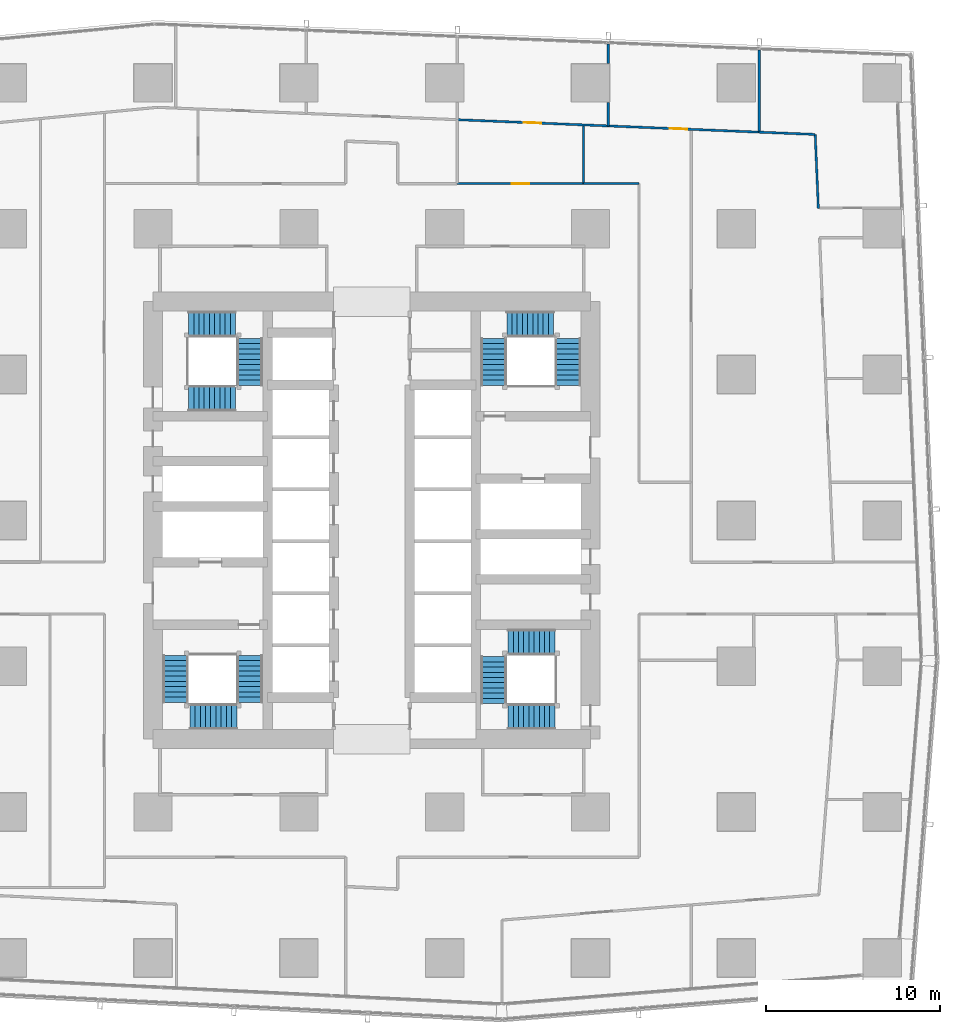
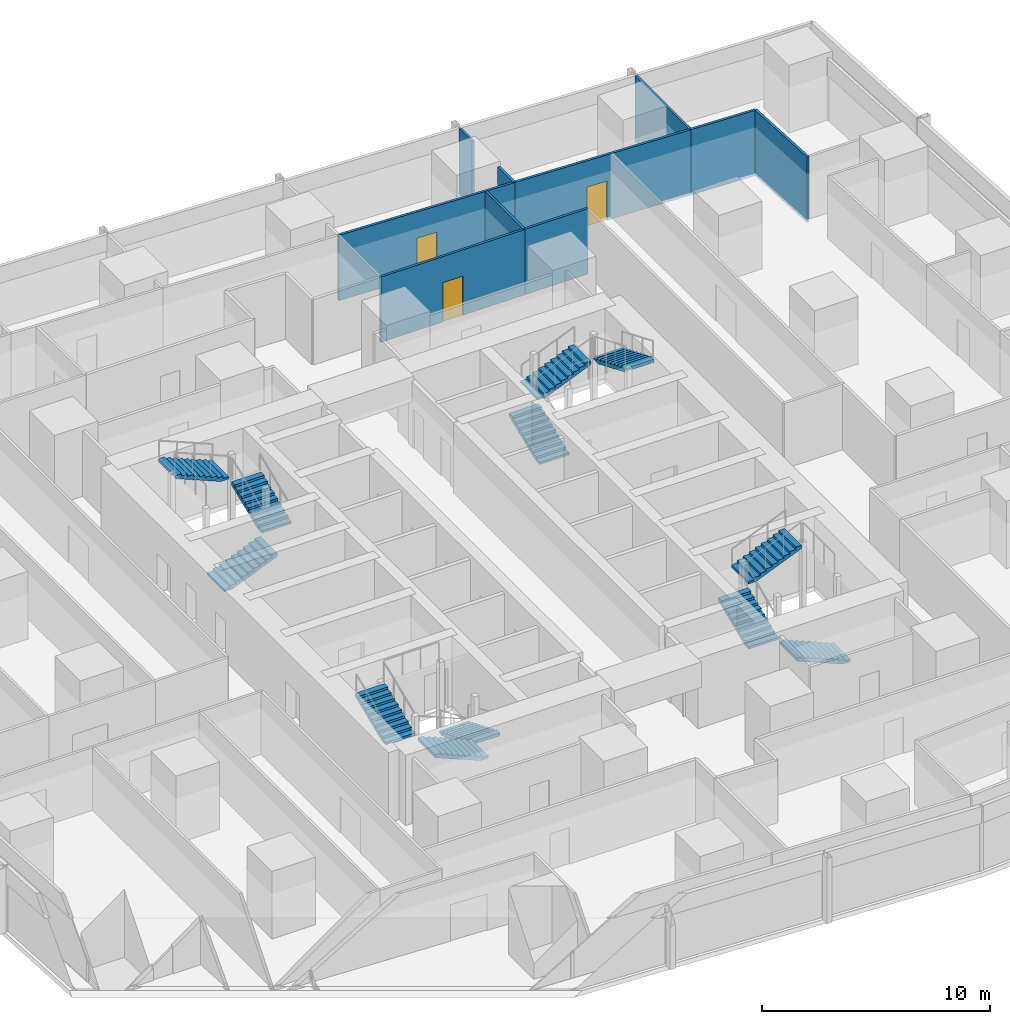
# One storey, part 35 of 44: 12 stair flights, 10 walls, 3 doors, 3 openings, 4 elements without a shape of their own.
"""IFC4 building model written with IfcOpenShell, lengths in metres."""

from ifc_helpers import new_model, si_unit, direction, frame, frame_2d, origin, place, context, subcontext, project, spatial, polyline, rectangle, outline, extrude, material, layer, layer_set, type_object, element, fill, aggregate, save


model = new_model("IFC4")

# Units and contexts
model_context = context("Model", 3, precision=1e-05, world=origin(), true_north=direction((0.0, 1.0)))
body_context = subcontext(model_context, "Body", "Model", "MODEL_VIEW")
ifc_project = project(units=[si_unit("LENGTHUNIT", "METRE"), si_unit("AREAUNIT", "SQUARE_METRE"), si_unit("VOLUMEUNIT", "CUBIC_METRE"), si_unit("PLANEANGLEUNIT", "RADIAN"), si_unit("MASSUNIT", "GRAM", prefix="KILO")], contexts=[model_context])

# Site, building, storey
site_placement = place(None, origin())
site = spatial("IfcSite", under=ifc_project, at=site_placement, CompositionType="ELEMENT")
building_placement = place(site_placement, origin())
building = spatial("IfcBuilding", under=site, at=building_placement, Name="Rekha Terrace Tower", CompositionType="ELEMENT")
storey_placement = place(building_placement, frame((0.0, 0.0, 51.64990234375)))
storey = spatial("IfcBuildingStorey", under=building, at=storey_placement, Name="L12", CompositionType="ELEMENT", Elevation=51.64990234375)

# Walls
ifc_material_1 = material(Name="Two layers of fire-rated gypsum board each side on steel studs, acoustic quilt, 1 hour", Category="steel")
ifc_layer = layer(ifc_material_1, 0.125)
ifc_layer_set = layer_set([ifc_layer], Name="Two layers of fire-rated gypsum board each side on steel studs, acoustic quilt, 1 hour")
wall_type = type_object("IfcWallType", Name="WP3 125 office partition", PredefinedType="PARTITIONING", material=ifc_layer_set)
wall_1_placement = place(storey_placement, frame((60.112060546875, 55.9619140625, 0.0), z_axis=(0.0, 0.0, 1.0), x_axis=(0.0, 1.0, 0.0)))
element("IfcWall", 1, at=wall_1_placement, inside=storey, type_object=wall_type, Name="Partition L12-09", PredefinedType="PARTITIONING", context=body_context, shape_type="SweptSolid", body=[
    extrude(rectangle(XDim=4.72412109375, YDim=0.125, at=frame_2d((2.362060546875, 0.0))), origin(), (0.0, 0.0, 1.0), 3.5),
])
wall_2_placement = place(storey_placement, frame((63.52099609375, 51.556884765625, 0.0), z_axis=(0.0, 0.0, 1.0), x_axis=(-0.042535330456, 0.999094963286, 0.0)))
element("IfcWall", 2, at=wall_2_placement, inside=storey, type_object=wall_type, Name="Partition L12-09", PredefinedType="PARTITIONING", context=body_context, shape_type="SweptSolid", body=[
    extrude(rectangle(XDim=4.276123046875, YDim=0.125, at=frame_2d((2.13818359375, 0.0))), origin(), (0.0, 0.0, 1.0), 3.5),
])
wall_3_placement = place(storey_placement, frame((63.339111328125, 55.8291015625, 0.0), z_axis=(0.0, 0.0, 1.0), x_axis=(-0.999154166221, 0.04112118826, 0.0)))
element("IfcWall", 3, at=wall_3_placement, inside=storey, type_object=wall_type, Name="Partition L12-09", PredefinedType="PARTITIONING", context=body_context, shape_type="SweptSolid", body=[
    extrude(rectangle(XDim=3.229736328125, YDim=0.125, at=frame_2d((1.61474609375, 0.0))), origin(), (0.0, 0.0, 1.0), 3.5),
])

# Wall, opening, door
wall_4_placement = place(storey_placement, frame((60.111083984375, 55.9619140625, 0.0), z_axis=(0.0, 0.0, 1.0), x_axis=(-0.999152748928, 0.041155610913, 0.0)))
wall_4 = element("IfcWall", 4, at=wall_4_placement, inside=storey, type_object=wall_type, Name="Partition L12-10", PredefinedType="PARTITIONING", context=body_context, shape_type="SweptSolid", body=[
    extrude(rectangle(XDim=8.702392578125, YDim=0.125, at=frame_2d((4.35107421875, 0.0))), origin(), (0.0, 0.0, 1.0), 3.5),
])
opening_1_placement = place(wall_4_placement, frame((4.14990234375, 0.0, 0.0)))
opening_1 = element("IfcOpeningElement", 5, at=opening_1_placement, cuts=wall_4, Name="Opening D9", PredefinedType="OPENING", context=body_context, shape_type="SweptSolid", body=[
    extrude(rectangle(XDim=1.0, YDim=2.10009765625, at=frame_2d((0.5, 1.050048828125))), frame((0.0, 0.072509765625, 0.0), z_axis=(0.0, -1.0, 0.0), x_axis=(1.0, 0.0, 0.0)), (0.0, 0.0, 1.0), 0.14501953125),
])
ifc_material_2 = material(Name="Timber fire door", Category="wood")
door_type = type_object("IfcDoorType", Name="D9 1000x2100 office door", OperationType="SINGLE_SWING_LEFT", PredefinedType="DOOR", material=ifc_material_2)
door_1_placement = place(opening_1_placement, origin())
door_1 = element("IfcDoor", 6, at=door_1_placement, inside=storey, type_object=door_type, Name="Door office L12", OperationType="SINGLE_SWING_LEFT", OverallHeight=2.10009765625, OverallWidth=1.0, PredefinedType="DOOR", context=body_context, shape_type="SweptSolid", body=[
    extrude(rectangle(XDim=1.0, YDim=2.10009765625, at=frame_2d((0.5, 1.050048828125))), frame((0.0, 0.02490234375, 0.0), z_axis=(0.0, -1.0, 0.0), x_axis=(1.0, 0.0, 0.0)), (0.0, 0.0, 1.0), 0.050048828125),
])
fill(opening_1, door_1)

# Walls
wall_5_placement = place(storey_placement, frame((51.416015625, 56.320068359375, 0.0), z_axis=(0.0, 0.0, 1.0), x_axis=(0.0, 1.0, 0.0)))
element("IfcWall", 7, at=wall_5_placement, inside=storey, type_object=wall_type, Name="Partition L12-10", PredefinedType="PARTITIONING", context=body_context, shape_type="SweptSolid", body=[
    extrude(rectangle(XDim=1.35986328125, YDim=0.125, at=frame_2d((0.679931640625, 0.0))), origin(), (0.0, 0.0, 1.0), 3.5),
])
wall_6_placement = place(storey_placement, frame((51.416015625, 59.919921875, 0.0), z_axis=(0.0, 0.0, 1.0), x_axis=(0.0, 1.0, 0.0)))
element("IfcWall", 8, at=wall_6_placement, inside=storey, type_object=wall_type, Name="Partition L12-10", PredefinedType="PARTITIONING", context=body_context, shape_type="SweptSolid", body=[
    extrude(rectangle(XDim=1.1240234375, YDim=0.125, at=frame_2d((0.56201171875, 0.0))), origin(), (0.0, 0.0, 1.0), 3.5),
])

# Wall, opening, door
wall_7_placement = place(storey_placement, frame((51.4150390625, 56.320068359375, 0.0), z_axis=(0.0, 0.0, 1.0), x_axis=(-0.999149475386, 0.041235007407, 0.0)))
wall_7 = element("IfcWall", 9, at=wall_7_placement, inside=storey, type_object=wall_type, Name="Partition L12-11", PredefinedType="PARTITIONING", context=body_context, shape_type="SweptSolid", body=[
    extrude(rectangle(XDim=8.703369140625, YDim=0.125, at=frame_2d((4.3515625, 0.0))), origin(), (0.0, 0.0, 1.0), 3.5),
])
opening_2_placement = place(wall_7_placement, frame((3.85205078125, 0.0, 0.0)))
opening_2 = element("IfcOpeningElement", 10, at=opening_2_placement, cuts=wall_7, Name="Opening D9", PredefinedType="OPENING", context=body_context, shape_type="SweptSolid", body=[
    extrude(rectangle(XDim=1.0, YDim=2.10009765625, at=frame_2d((0.5, 1.050048828125))), frame((0.0, 0.072509765625, 0.0), z_axis=(0.0, -1.0, 0.0), x_axis=(1.0, 0.0, 0.0)), (0.0, 0.0, 1.0), 0.14501953125),
])
door_2_placement = place(opening_2_placement, origin())
door_2 = element("IfcDoor", 11, at=door_2_placement, inside=storey, type_object=door_type, Name="Door office L12", OperationType="SINGLE_SWING_LEFT", OverallHeight=2.10009765625, OverallWidth=1.0, PredefinedType="DOOR", context=body_context, shape_type="SweptSolid", body=[
    extrude(rectangle(XDim=1.0, YDim=2.10009765625, at=frame_2d((0.5, 1.050048828125))), frame((0.0, 0.02490234375, 0.0), z_axis=(0.0, -1.0, 0.0), x_axis=(1.0, 0.0, 0.0)), (0.0, 0.0, 1.0), 0.050048828125),
])
fill(opening_2, door_2)

# Wall
wall_8_placement = place(storey_placement, frame((50.0, 56.31591796875, 0.0), z_axis=(0.0, 0.0, 1.0), x_axis=(0.0, -1.0, 0.0)))
element("IfcWall", 12, at=wall_8_placement, inside=storey, type_object=wall_type, Name="Partition L12-12", PredefinedType="PARTITIONING", context=body_context, shape_type="SweptSolid", body=[
    extrude(rectangle(XDim=3.31591796875, YDim=0.125, at=frame_2d((1.657958984375, 0.0))), origin(), (0.0, 0.0, 1.0), 3.5),
])

# Wall, opening, door
wall_9_placement = place(storey_placement, frame((50.0, 53.0, 0.0), z_axis=(0.0, 0.0, 1.0), x_axis=(-1.0, 0.0, 0.0)))
wall_9 = element("IfcWall", 13, at=wall_9_placement, inside=storey, type_object=wall_type, Name="Partition L12-12", PredefinedType="PARTITIONING", context=body_context, shape_type="SweptSolid", body=[
    extrude(rectangle(XDim=7.281005859375, YDim=0.125, at=frame_2d((3.640625, 0.0))), origin(), (0.0, 0.0, 1.0), 3.5),
])
opening_3_placement = place(wall_9_placement, frame((3.14111328125, 0.0, 0.0)))
opening_3 = element("IfcOpeningElement", 14, at=opening_3_placement, cuts=wall_9, Name="Opening D9", PredefinedType="OPENING", context=body_context, shape_type="SweptSolid", body=[
    extrude(rectangle(XDim=1.0, YDim=2.10009765625, at=frame_2d((0.5, 1.050048828125))), frame((0.0, 0.072509765625, 0.0), z_axis=(0.0, -1.0, 0.0), x_axis=(1.0, 0.0, 0.0)), (0.0, 0.0, 1.0), 0.14501953125),
])
door_3_placement = place(opening_3_placement, origin())
door_3 = element("IfcDoor", 15, at=door_3_placement, inside=storey, type_object=door_type, Name="Door reception L12", OperationType="SINGLE_SWING_LEFT", OverallHeight=2.10009765625, OverallWidth=1.0, PredefinedType="DOOR", context=body_context, shape_type="SweptSolid", body=[
    extrude(rectangle(XDim=1.0, YDim=2.10009765625, at=frame_2d((0.5, 1.050048828125))), frame((0.0, 0.02490234375, 0.0), z_axis=(0.0, -1.0, 0.0), x_axis=(1.0, 0.0, 0.0)), (0.0, 0.0, 1.0), 0.050048828125),
])
fill(opening_3, door_3)

# Wall
wall_10_placement = place(storey_placement, frame((53.199951171875, 53.0, 0.0), z_axis=(0.0, 0.0, 1.0), x_axis=(-1.0, 0.0, 0.0)))
element("IfcWall", 16, at=wall_10_placement, inside=storey, type_object=wall_type, Name="Partition L12-13", PredefinedType="PARTITIONING", context=body_context, shape_type="SweptSolid", body=[
    extrude(rectangle(XDim=3.199951171875, YDim=0.125, at=frame_2d((1.60009765625, 0.0))), origin(), (0.0, 0.0, 1.0), 3.5),
])

# Stair, stair flights
ifc_material_3 = material(Name="Concrete M40", Category="concrete")
stair_type = type_object("IfcStairType", Name="ST30 stair, 30 risers of 125, going 300, 1500 wide flights, 3 flights", PredefinedType="HALF_TURN_STAIR", material=ifc_material_3)
stair_1_placement = place(storey_placement, origin())
stair_1 = element("IfcStair", 17, at=stair_1_placement, inside=storey, type_object=stair_type, Name="Stair ST1 L12 to L13", PredefinedType="HALF_TURN_STAIR")
stair_flight_type = type_object("IfcStairFlightType", Name="SF10 stair flight, 10 risers of 125, going 300, 1500 wide", PredefinedType="STRAIGHT", material=ifc_material_3)
stair_flight_1_placement = place(storey_placement, frame((30.77490234375, 25.824951171875, 0.0), z_axis=(0.0, 0.0, 1.0), x_axis=(0.0, -1.0, 0.0)))
stair_flight_1 = element("IfcStairFlight", 18, at=stair_flight_1_placement, type_object=stair_flight_type, Name="ST1 flight 1", NumberOfRisers=10, NumberOfTreads=9, PredefinedType="STRAIGHT", RiserHeight=0.125, TreadLength=0.3, context=body_context, shape_type="SweptSolid", body=[
    extrude(outline(polyline([(0.0, 0.0), (0.0, 0.125), (0.300048828125, 0.125), (0.300048828125, 0.25), (0.60009765625, 0.25), (0.60009765625, 0.375), (0.89990234375, 0.375), (0.89990234375, 0.5), (1.199951171875, 0.5), (1.199951171875, 0.625), (1.5, 0.625), (1.5, 0.75), (1.800048828125, 0.75), (1.800048828125, 0.875), (2.10009765625, 0.875), (2.10009765625, 1.0), (2.39990234375, 1.0), (2.39990234375, 1.125), (2.699951171875, 1.125), (2.699951171875, 1.25), (2.699951171875, 0.962646484375), (0.3896484375, 0.0), (0.0, 0.0)])), frame((0.0, 0.75, 0.0), z_axis=(0.0, -1.0, 0.0), x_axis=(1.0, 0.0, 0.0)), (0.0, 0.0, 1.0), 1.5),
])
stair_flight_2_placement = place(storey_placement, frame((30.02490234375, 22.300048828125, 1.25), z_axis=(0.0, 0.0, 1.0), x_axis=(-1.0, 0.0, 0.0)))
stair_flight_2 = element("IfcStairFlight", 19, at=stair_flight_2_placement, type_object=stair_flight_type, Name="ST1 flight 2", NumberOfRisers=10, NumberOfTreads=9, PredefinedType="STRAIGHT", RiserHeight=0.125, TreadLength=0.3, context=body_context, shape_type="SweptSolid", body=[
    extrude(outline(polyline([(0.0, 0.0), (0.0, 0.125), (0.300048828125, 0.125), (0.300048828125, 0.25), (0.60009765625, 0.25), (0.60009765625, 0.375), (0.89990234375, 0.375), (0.89990234375, 0.5), (1.199951171875, 0.5), (1.199951171875, 0.625), (1.5, 0.625), (1.5, 0.75), (1.800048828125, 0.75), (1.800048828125, 0.875), (2.10009765625, 0.875), (2.10009765625, 1.0), (2.39990234375, 1.0), (2.39990234375, 1.125), (2.699951171875, 1.125), (2.699951171875, 1.25), (2.699951171875, 0.962646484375), (0.3896484375, 0.0), (0.0, 0.0)])), frame((0.0, 0.75, 0.0), z_axis=(0.0, -1.0, 0.0), x_axis=(1.0, 0.0, 0.0)), (0.0, 0.0, 1.0), 1.5),
])
stair_flight_3_placement = place(storey_placement, frame((26.5, 23.125, 2.5), z_axis=(0.0, 0.0, 1.0), x_axis=(0.0, 1.0, 0.0)))
stair_flight_3 = element("IfcStairFlight", 20, at=stair_flight_3_placement, type_object=stair_flight_type, Name="ST1 flight 3", NumberOfRisers=10, NumberOfTreads=9, PredefinedType="STRAIGHT", RiserHeight=0.125, TreadLength=0.3, context=body_context, shape_type="SweptSolid", body=[
    extrude(outline(polyline([(0.0, 0.0), (0.0, 0.125), (0.300048828125, 0.125), (0.300048828125, 0.25), (0.60009765625, 0.25), (0.60009765625, 0.375), (0.89990234375, 0.375), (0.89990234375, 0.5), (1.199951171875, 0.5), (1.199951171875, 0.625), (1.5, 0.625), (1.5, 0.75), (1.800048828125, 0.75), (1.800048828125, 0.875), (2.10009765625, 0.875), (2.10009765625, 1.0), (2.39990234375, 1.0), (2.39990234375, 1.125), (2.699951171875, 1.125), (2.699951171875, 1.25), (2.699951171875, 0.962646484375), (0.3896484375, 0.0), (0.0, 0.0)])), frame((0.0, 0.75, 0.0), z_axis=(0.0, -1.0, 0.0), x_axis=(1.0, 0.0, 0.0)), (0.0, 0.0, 1.0), 1.5),
])
aggregate(stair_1, [stair_flight_1, stair_flight_2, stair_flight_3])

stair_2_placement = place(storey_placement, origin())
stair_2 = element("IfcStair", 21, at=stair_2_placement, inside=storey, type_object=stair_type, Name="Stair ST2 L12 to L13", PredefinedType="HALF_TURN_STAIR")
stair_flight_4_placement = place(storey_placement, frame((44.824951171875, 41.375, 0.0), z_axis=(0.0, 0.0, 1.0), x_axis=(0.0, 1.0, 0.0)))
stair_flight_4 = element("IfcStairFlight", 22, at=stair_flight_4_placement, type_object=stair_flight_type, Name="ST2 flight 1", NumberOfRisers=10, NumberOfTreads=9, PredefinedType="STRAIGHT", RiserHeight=0.125, TreadLength=0.3, context=body_context, shape_type="SweptSolid", body=[
    extrude(outline(polyline([(0.0, 0.0), (0.0, 0.125), (0.300048828125, 0.125), (0.300048828125, 0.25), (0.60009765625, 0.25), (0.60009765625, 0.375), (0.89990234375, 0.375), (0.89990234375, 0.5), (1.199951171875, 0.5), (1.199951171875, 0.625), (1.5, 0.625), (1.5, 0.75), (1.800048828125, 0.75), (1.800048828125, 0.875), (2.10009765625, 0.875), (2.10009765625, 1.0), (2.39990234375, 1.0), (2.39990234375, 1.125), (2.699951171875, 1.125), (2.699951171875, 1.25), (2.699951171875, 0.962646484375), (0.3896484375, 0.0), (0.0, 0.0)])), frame((0.0, 0.75, 0.0), z_axis=(0.0, -1.0, 0.0), x_axis=(1.0, 0.0, 0.0)), (0.0, 0.0, 1.0), 1.5),
])
stair_flight_5_placement = place(storey_placement, frame((45.574951171875, 44.89990234375, 1.25), z_axis=(0.0, 0.0, 1.0), x_axis=(1.0, 0.0, 0.0)))
stair_flight_5 = element("IfcStairFlight", 23, at=stair_flight_5_placement, type_object=stair_flight_type, Name="ST2 flight 2", NumberOfRisers=10, NumberOfTreads=9, PredefinedType="STRAIGHT", RiserHeight=0.125, TreadLength=0.3, context=body_context, shape_type="SweptSolid", body=[
    extrude(outline(polyline([(0.0, 0.0), (0.0, 0.125), (0.300048828125, 0.125), (0.300048828125, 0.25), (0.60009765625, 0.25), (0.60009765625, 0.375), (0.89990234375, 0.375), (0.89990234375, 0.5), (1.199951171875, 0.5), (1.199951171875, 0.625), (1.5, 0.625), (1.5, 0.75), (1.800048828125, 0.75), (1.800048828125, 0.875), (2.10009765625, 0.875), (2.10009765625, 1.0), (2.39990234375, 1.0), (2.39990234375, 1.125), (2.699951171875, 1.125), (2.699951171875, 1.25), (2.699951171875, 0.962646484375), (0.3896484375, 0.0), (0.0, 0.0)])), frame((0.0, 0.75, 0.0), z_axis=(0.0, -1.0, 0.0), x_axis=(1.0, 0.0, 0.0)), (0.0, 0.0, 1.0), 1.5),
])
stair_flight_6_placement = place(storey_placement, frame((49.10009765625, 44.074951171875, 2.5), z_axis=(0.0, 0.0, 1.0), x_axis=(0.0, -1.0, 0.0)))
stair_flight_6 = element("IfcStairFlight", 24, at=stair_flight_6_placement, type_object=stair_flight_type, Name="ST2 flight 3", NumberOfRisers=10, NumberOfTreads=9, PredefinedType="STRAIGHT", RiserHeight=0.125, TreadLength=0.3, context=body_context, shape_type="SweptSolid", body=[
    extrude(outline(polyline([(0.0, 0.0), (0.0, 0.125), (0.300048828125, 0.125), (0.300048828125, 0.25), (0.60009765625, 0.25), (0.60009765625, 0.375), (0.89990234375, 0.375), (0.89990234375, 0.5), (1.199951171875, 0.5), (1.199951171875, 0.625), (1.5, 0.625), (1.5, 0.75), (1.800048828125, 0.75), (1.800048828125, 0.875), (2.10009765625, 0.875), (2.10009765625, 1.0), (2.39990234375, 1.0), (2.39990234375, 1.125), (2.699951171875, 1.125), (2.699951171875, 1.25), (2.699951171875, 0.962646484375), (0.3896484375, 0.0), (0.0, 0.0)])), frame((0.0, 0.75, 0.0), z_axis=(0.0, -1.0, 0.0), x_axis=(1.0, 0.0, 0.0)), (0.0, 0.0, 1.0), 1.5),
])
aggregate(stair_2, [stair_flight_4, stair_flight_5, stair_flight_6])

stair_3_placement = place(storey_placement, origin())
stair_3 = element("IfcStair", 25, at=stair_3_placement, inside=storey, type_object=stair_type, Name="Stair ST3 L12 to L13", PredefinedType="HALF_TURN_STAIR")
stair_flight_7_placement = place(storey_placement, frame((48.35009765625, 22.300048828125, 0.0), z_axis=(0.0, 0.0, 1.0), x_axis=(-1.0, 0.0, 0.0)))
stair_flight_7 = element("IfcStairFlight", 26, at=stair_flight_7_placement, type_object=stair_flight_type, Name="ST3 flight 1", NumberOfRisers=10, NumberOfTreads=9, PredefinedType="STRAIGHT", RiserHeight=0.125, TreadLength=0.3, context=body_context, shape_type="SweptSolid", body=[
    extrude(outline(polyline([(0.0, 0.0), (0.0, 0.125), (0.300048828125, 0.125), (0.300048828125, 0.25), (0.60009765625, 0.25), (0.60009765625, 0.375), (0.89990234375, 0.375), (0.89990234375, 0.5), (1.199951171875, 0.5), (1.199951171875, 0.625), (1.5, 0.625), (1.5, 0.75), (1.800048828125, 0.75), (1.800048828125, 0.875), (2.10009765625, 0.875), (2.10009765625, 1.0), (2.39990234375, 1.0), (2.39990234375, 1.125), (2.699951171875, 1.125), (2.699951171875, 1.25), (2.699951171875, 0.962646484375), (0.3896484375, 0.0), (0.0, 0.0)])), frame((0.0, 0.75, 0.0), z_axis=(0.0, -1.0, 0.0), x_axis=(1.0, 0.0, 0.0)), (0.0, 0.0, 1.0), 1.5),
])
stair_flight_8_placement = place(storey_placement, frame((44.824951171875, 23.050048828125, 1.25), z_axis=(0.0, 0.0, 1.0), x_axis=(0.0, 1.0, 0.0)))
stair_flight_8 = element("IfcStairFlight", 27, at=stair_flight_8_placement, type_object=stair_flight_type, Name="ST3 flight 2", NumberOfRisers=10, NumberOfTreads=9, PredefinedType="STRAIGHT", RiserHeight=0.125, TreadLength=0.3, context=body_context, shape_type="SweptSolid", body=[
    extrude(outline(polyline([(0.0, 0.0), (0.0, 0.125), (0.300048828125, 0.125), (0.300048828125, 0.25), (0.60009765625, 0.25), (0.60009765625, 0.375), (0.89990234375, 0.375), (0.89990234375, 0.5), (1.199951171875, 0.5), (1.199951171875, 0.625), (1.5, 0.625), (1.5, 0.75), (1.800048828125, 0.75), (1.800048828125, 0.875), (2.10009765625, 0.875), (2.10009765625, 1.0), (2.39990234375, 1.0), (2.39990234375, 1.125), (2.699951171875, 1.125), (2.699951171875, 1.25), (2.699951171875, 0.962646484375), (0.3896484375, 0.0), (0.0, 0.0)])), frame((0.0, 0.75, 0.0), z_axis=(0.0, -1.0, 0.0), x_axis=(1.0, 0.0, 0.0)), (0.0, 0.0, 1.0), 1.5),
])
stair_flight_9_placement = place(storey_placement, frame((45.64990234375, 26.574951171875, 2.5), z_axis=(0.0, 0.0, 1.0), x_axis=(1.0, 0.0, 0.0)))
stair_flight_9 = element("IfcStairFlight", 28, at=stair_flight_9_placement, type_object=stair_flight_type, Name="ST3 flight 3", NumberOfRisers=10, NumberOfTreads=9, PredefinedType="STRAIGHT", RiserHeight=0.125, TreadLength=0.3, context=body_context, shape_type="SweptSolid", body=[
    extrude(outline(polyline([(0.0, 0.0), (0.0, 0.125), (0.300048828125, 0.125), (0.300048828125, 0.25), (0.60009765625, 0.25), (0.60009765625, 0.375), (0.89990234375, 0.375), (0.89990234375, 0.5), (1.199951171875, 0.5), (1.199951171875, 0.625), (1.5, 0.625), (1.5, 0.75), (1.800048828125, 0.75), (1.800048828125, 0.875), (2.10009765625, 0.875), (2.10009765625, 1.0), (2.39990234375, 1.0), (2.39990234375, 1.125), (2.699951171875, 1.125), (2.699951171875, 1.25), (2.699951171875, 0.962646484375), (0.3896484375, 0.0), (0.0, 0.0)])), frame((0.0, 0.75, 0.0), z_axis=(0.0, -1.0, 0.0), x_axis=(1.0, 0.0, 0.0)), (0.0, 0.0, 1.0), 1.5),
])
aggregate(stair_3, [stair_flight_7, stair_flight_8, stair_flight_9])

stair_4_placement = place(storey_placement, origin())
stair_4 = element("IfcStair", 29, at=stair_4_placement, inside=storey, type_object=stair_type, Name="Stair ST4 L12 to L13", PredefinedType="HALF_TURN_STAIR")
stair_flight_10_placement = place(storey_placement, frame((27.25, 40.625, 0.0), z_axis=(0.0, 0.0, 1.0), x_axis=(1.0, 0.0, 0.0)))
stair_flight_10 = element("IfcStairFlight", 30, at=stair_flight_10_placement, type_object=stair_flight_type, Name="ST4 flight 1", NumberOfRisers=10, NumberOfTreads=9, PredefinedType="STRAIGHT", RiserHeight=0.125, TreadLength=0.3, context=body_context, shape_type="SweptSolid", body=[
    extrude(outline(polyline([(0.0, 0.0), (0.0, 0.125), (0.300048828125, 0.125), (0.300048828125, 0.25), (0.60009765625, 0.25), (0.60009765625, 0.375), (0.89990234375, 0.375), (0.89990234375, 0.5), (1.199951171875, 0.5), (1.199951171875, 0.625), (1.5, 0.625), (1.5, 0.75), (1.800048828125, 0.75), (1.800048828125, 0.875), (2.10009765625, 0.875), (2.10009765625, 1.0), (2.39990234375, 1.0), (2.39990234375, 1.125), (2.699951171875, 1.125), (2.699951171875, 1.25), (2.699951171875, 0.962646484375), (0.3896484375, 0.0), (0.0, 0.0)])), frame((0.0, 0.75, 0.0), z_axis=(0.0, -1.0, 0.0), x_axis=(1.0, 0.0, 0.0)), (0.0, 0.0, 1.0), 1.5),
])
stair_flight_11_placement = place(storey_placement, frame((30.77490234375, 41.375, 1.25), z_axis=(0.0, 0.0, 1.0), x_axis=(0.0, 1.0, 0.0)))
stair_flight_11 = element("IfcStairFlight", 31, at=stair_flight_11_placement, type_object=stair_flight_type, Name="ST4 flight 2", NumberOfRisers=10, NumberOfTreads=9, PredefinedType="STRAIGHT", RiserHeight=0.125, TreadLength=0.3, context=body_context, shape_type="SweptSolid", body=[
    extrude(outline(polyline([(0.0, 0.0), (0.0, 0.125), (0.300048828125, 0.125), (0.300048828125, 0.25), (0.60009765625, 0.25), (0.60009765625, 0.375), (0.89990234375, 0.375), (0.89990234375, 0.5), (1.199951171875, 0.5), (1.199951171875, 0.625), (1.5, 0.625), (1.5, 0.75), (1.800048828125, 0.75), (1.800048828125, 0.875), (2.10009765625, 0.875), (2.10009765625, 1.0), (2.39990234375, 1.0), (2.39990234375, 1.125), (2.699951171875, 1.125), (2.699951171875, 1.25), (2.699951171875, 0.962646484375), (0.3896484375, 0.0), (0.0, 0.0)])), frame((0.0, 0.75, 0.0), z_axis=(0.0, -1.0, 0.0), x_axis=(1.0, 0.0, 0.0)), (0.0, 0.0, 1.0), 1.5),
])
stair_flight_12_placement = place(storey_placement, frame((29.949951171875, 44.89990234375, 2.5), z_axis=(0.0, 0.0, 1.0), x_axis=(-1.0, 0.0, 0.0)))
stair_flight_12 = element("IfcStairFlight", 32, at=stair_flight_12_placement, type_object=stair_flight_type, Name="ST4 flight 3", NumberOfRisers=10, NumberOfTreads=9, PredefinedType="STRAIGHT", RiserHeight=0.125, TreadLength=0.3, context=body_context, shape_type="SweptSolid", body=[
    extrude(outline(polyline([(0.0, 0.0), (0.0, 0.125), (0.300048828125, 0.125), (0.300048828125, 0.25), (0.60009765625, 0.25), (0.60009765625, 0.375), (0.89990234375, 0.375), (0.89990234375, 0.5), (1.199951171875, 0.5), (1.199951171875, 0.625), (1.5, 0.625), (1.5, 0.75), (1.800048828125, 0.75), (1.800048828125, 0.875), (2.10009765625, 0.875), (2.10009765625, 1.0), (2.39990234375, 1.0), (2.39990234375, 1.125), (2.699951171875, 1.125), (2.699951171875, 1.25), (2.699951171875, 0.962646484375), (0.3896484375, 0.0), (0.0, 0.0)])), frame((0.0, 0.75, 0.0), z_axis=(0.0, -1.0, 0.0), x_axis=(1.0, 0.0, 0.0)), (0.0, 0.0, 1.0), 1.5),
])
aggregate(stair_4, [stair_flight_10, stair_flight_11, stair_flight_12])

save(model, "model.ifc")
